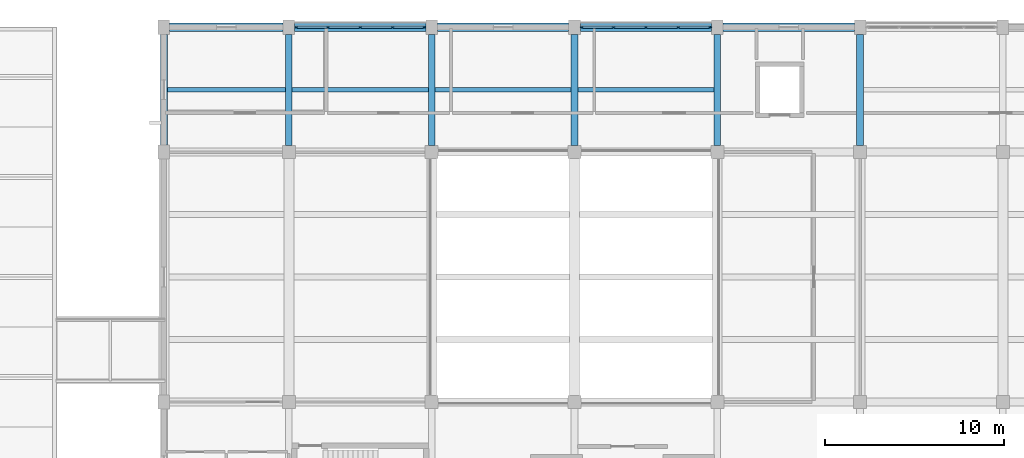
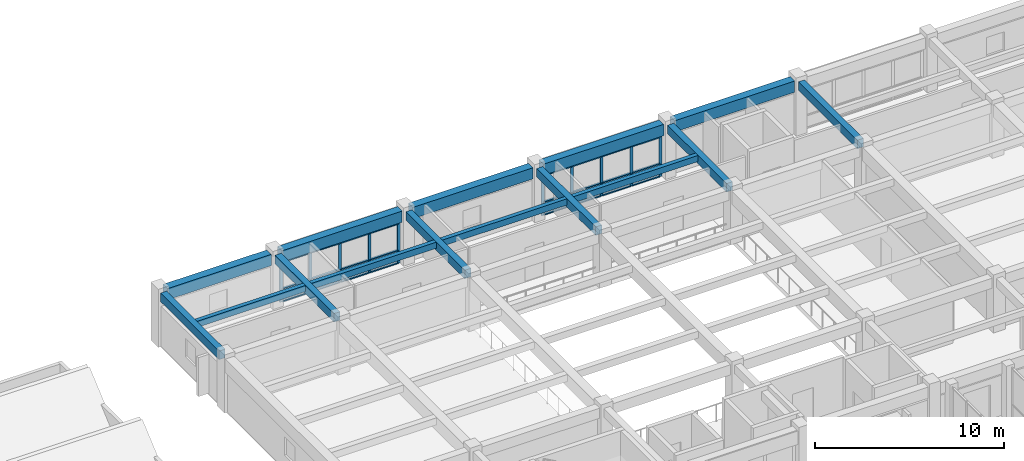
# One storey, part 14 of 42: 34 members, 15 beams, 2 elements without a shape of their own.
"""IFC4 building model written with IfcOpenShell, lengths in metres."""

from ifc_helpers import new_model, si_unit, direction, frame, origin, origin_2d, place, context, subcontext, project, spatial, rectangle, extrude, material, layer, layer_set, material_profile, profile_set, type_object, element, aggregate, save


model = new_model("IFC4")

# Units and contexts
model_context = context("Model", 3, precision=1e-05, world=origin(), true_north=direction((0.0, 1.0)))
body_context = subcontext(model_context, "Body", "Model", "MODEL_VIEW")
ifc_project = project(units=[si_unit("LENGTHUNIT", "METRE"), si_unit("AREAUNIT", "SQUARE_METRE"), si_unit("VOLUMEUNIT", "CUBIC_METRE"), si_unit("PLANEANGLEUNIT", "RADIAN"), si_unit("MASSUNIT", "GRAM", prefix="KILO")], contexts=[model_context])

# Site, building, storey
site_placement = place(None, origin())
site = spatial("IfcSite", under=ifc_project, at=site_placement, CompositionType="ELEMENT")
building_placement = place(site_placement, origin())
building = spatial("IfcBuilding", under=site, at=building_placement, Name="Naurynzar Civic Courthouse", CompositionType="ELEMENT")
storey_placement = place(building_placement, frame((0.0, 0.0, 18.300048828125)))
storey = spatial("IfcBuildingStorey", under=building, at=storey_placement, Name="L05", CompositionType="ELEMENT", Elevation=18.300048828125)

# Beams
ifc_material_1 = material(Name="Concrete C40/50", Category="concrete")
ifc_material_profile_1 = material_profile(ifc_material_1, rectangle(XDim=0.25, YDim=0.39990234375, at=origin_2d()), Name="RCB 250x400")
ifc_profile_set_1 = profile_set([ifc_material_profile_1], Name="Concrete C40/50")
beam_type_1 = type_object("IfcBeamType", Name="BM-JST-250x400", PredefinedType="JOIST", material=ifc_profile_set_1)
beam_1_placement = place(storey_placement, frame((62.1875, 68.5, 3.27001953125), z_axis=(1.0, 0.0, 0.0), x_axis=(0.0, 1.0, 0.0)))
element("IfcBeam", 1, at=beam_1_placement, inside=storey, type_object=beam_type_1, Name="V2 secondary rib 829 L05", PredefinedType="JOIST", context=body_context, shape_type="SweptSolid", body=[
    extrude(rectangle(XDim=0.25, YDim=0.39990234375, at=origin_2d()), origin(), (0.0, 0.0, 1.0), 6.625),
])
for number, where, z_axis, x_axis, name in (
    (2, (69.1875, 68.5, 3.27001953125), (1.0, 0.0, 0.0), (0.0, 1.0, 0.0), "V2 secondary rib 830 L05"),
    (3, (77.1875, 68.5, 3.27001953125), (1.0, 0.0, 0.0), (0.0, 1.0, 0.0), "V2 secondary rib 831 L05"),
    (4, (85.1875, 68.5, 3.27001953125), (1.0, 0.0, 0.0), (0.0, 1.0, 0.0), "V2 secondary rib 832 L05"),
):
    element("IfcBeam", number, at=place(storey_placement, frame(where, z_axis=z_axis, x_axis=x_axis)), inside=storey, type_object=beam_type_1, Name=name, PredefinedType="JOIST", context=body_context, shape_type="SweptSolid", body=[
        extrude(rectangle(XDim=0.25, YDim=0.39990234375, at=origin_2d()), origin(), (0.0, 0.0, 1.0), 7.625),
    ])
ifc_material_2 = material(Name="Concrete C40/50", Category="concrete")
ifc_material_profile_2 = material_profile(ifc_material_2, rectangle(XDim=0.375, YDim=0.550048828125, at=origin_2d()), Name="RCB 375x550")
ifc_profile_set_2 = profile_set([ifc_material_profile_2], Name="Concrete C40/50")
beam_type_2 = type_object("IfcBeamType", Name="BM-RC-375x550", PredefinedType="BEAM", material=ifc_profile_set_2)
beam_2_placement = place(storey_placement, frame((62.0, 65.39990234375, 3.195068359375), z_axis=(0.0, 1.0, 0.0), x_axis=(-1.0, 0.0, 0.0)))
element("IfcBeam", 5, at=beam_2_placement, inside=storey, type_object=beam_type_2, Name="V2 girder Y-776 L05", PredefinedType="BEAM", context=body_context, shape_type="SweptSolid", body=[
    extrude(rectangle(XDim=0.375, YDim=0.550048828125, at=origin_2d()), origin(), (0.0, 0.0, 1.0), 6.2001953125),
])
for number, where, z_axis, x_axis, name in (
    (6, (69.0, 65.362548828125, 3.195068359375), (0.0, 1.0, 0.0), (-1.0, 0.0, 0.0), "V2 girder Y-779 L05"),
    (7, (77.0, 65.362548828125, 3.195068359375), (0.0, 1.0, 0.0), (-1.0, 0.0, 0.0), "V2 girder Y-782 L05"),
    (8, (85.0, 65.362548828125, 3.195068359375), (0.0, 1.0, 0.0), (-1.0, 0.0, 0.0), "V2 girder Y-785 L05"),
    (9, (93.0, 65.362548828125, 3.195068359375), (0.0, 1.0, 0.0), (-1.0, 0.0, 0.0), "V2 girder Y-788 L05"),
    (10, (101.0, 65.362548828125, 3.195068359375), (0.0, 1.0, 0.0), (-1.0, 0.0, 0.0), "V2 girder Y-791 L05"),
):
    element("IfcBeam", number, at=place(storey_placement, frame(where, z_axis=z_axis, x_axis=x_axis)), inside=storey, type_object=beam_type_2, Name=name, PredefinedType="BEAM", context=body_context, shape_type="SweptSolid", body=[
        extrude(rectangle(XDim=0.375, YDim=0.550048828125, at=origin_2d()), origin(), (0.0, 0.0, 1.0), 6.237548828125),
    ])
ifc_material_3 = material(Name="Concrete C40/50", Category="concrete")
ifc_material_profile_3 = material_profile(ifc_material_3, rectangle(XDim=0.47509765625, YDim=0.72509765625, at=origin_2d()), Name="RCB 475x725")
ifc_profile_set_3 = profile_set([ifc_material_profile_3], Name="Concrete C40/50")
beam_type_3 = type_object("IfcBeamType", Name="BM-RC-475x725", PredefinedType="SPANDREL", material=ifc_profile_set_3)
beam_3_placement = place(storey_placement, frame((62.324951171875, 72.0, 3.107421875), z_axis=(1.0, 0.0, 0.0), x_axis=(0.0, 1.0, 0.0)))
element("IfcBeam", 11, at=beam_3_placement, inside=storey, type_object=beam_type_3, Name="V2 beam X-766 L05", PredefinedType="SPANDREL", context=body_context, shape_type="SweptSolid", body=[
    extrude(rectangle(XDim=0.47509765625, YDim=0.72509765625, at=origin_2d()), origin(), (0.0, 0.0, 1.0), 6.35009765625),
])
for number, where, z_axis, x_axis, name in (
    (12, (69.324951171875, 72.0, 3.107421875), (1.0, 0.0, 0.0), (0.0, 1.0, 0.0), "V2 beam X-767 L05"),
    (13, (77.324951171875, 72.0, 3.107421875), (1.0, 0.0, 0.0), (0.0, 1.0, 0.0), "V2 beam X-768 L05"),
    (14, (85.324951171875, 72.0, 3.107421875), (1.0, 0.0, 0.0), (0.0, 1.0, 0.0), "V2 beam X-769 L05"),
    (15, (93.324951171875, 72.0, 3.107421875), (1.0, 0.0, 0.0), (0.0, 1.0, 0.0), "V2 beam X-770 L05"),
):
    element("IfcBeam", number, at=place(storey_placement, frame(where, z_axis=z_axis, x_axis=x_axis)), inside=storey, type_object=beam_type_3, Name=name, PredefinedType="SPANDREL", context=body_context, shape_type="SweptSolid", body=[
        extrude(rectangle(XDim=0.47509765625, YDim=0.72509765625, at=origin_2d()), origin(), (0.0, 0.0, 1.0), 7.35009765625),
    ])

# Curtain wall, members
ifc_material_4 = material(Name="Aluminium 6063-T6", Category="aluminium")
ifc_layer = layer(ifc_material_4, 0.159912109375)
ifc_layer_set = layer_set([ifc_layer], Name="CW-UNIT-1800")
curtain_wall_type = type_object("IfcCurtainWallType", Name="CW-UNIT-1800", PredefinedType="NOTDEFINED", material=ifc_layer_set)
curtain_wall_1_placement = place(storey_placement, origin())
curtain_wall_1 = element("IfcCurtainWall", 16, at=curtain_wall_1_placement, inside=storey, type_object=curtain_wall_type, Name="V2 unitised curtain wall 36 L05", PredefinedType="NOTDEFINED")
ifc_material_5 = material(Name="Aluminium 6063-T6", Category="aluminium")
ifc_material_profile_4 = material_profile(ifc_material_5, rectangle(XDim=0.070068359375, YDim=0.179931640625, at=origin_2d()), Name="ALU MULLION 70x180")
ifc_profile_set_4 = profile_set([ifc_material_profile_4], Name="Aluminium 6063-T6")
member_type_1 = type_object("IfcMemberType", Name="CWM-70x180", PredefinedType="MULLION", material=ifc_profile_set_4)
member_1_placement = place(storey_placement, frame((69.409912109375, 72.0, 0.0), z_axis=(0.0, 0.0, 1.0), x_axis=(0.0, 1.0, 0.0)))
member_1 = element("IfcMember", 17, at=member_1_placement, type_object=member_type_1, Name="CW-02 mullion 1", PredefinedType="MULLION", context=body_context, shape_type="SweptSolid", body=[
    extrude(rectangle(XDim=0.070068359375, YDim=0.179931640625, at=origin_2d()), origin(), (0.0, 0.0, 1.0), 2.599853515625),
])
member_2_placement = place(storey_placement, frame((71.1875, 72.0, 0.0), z_axis=(0.0, 0.0, 1.0), x_axis=(0.0, 1.0, 0.0)))
member_2 = element("IfcMember", 18, at=member_2_placement, type_object=member_type_1, Name="CW-02 mullion 2", PredefinedType="MULLION", context=body_context, shape_type="SweptSolid", body=[
    extrude(rectangle(XDim=0.070068359375, YDim=0.179931640625, at=origin_2d()), origin(), (0.0, 0.0, 1.0), 2.599853515625),
])
member_3_placement = place(storey_placement, frame((73.0, 72.0, 0.0), z_axis=(0.0, 0.0, 1.0), x_axis=(0.0, 1.0, 0.0)))
member_3 = element("IfcMember", 19, at=member_3_placement, type_object=member_type_1, Name="CW-02 mullion 3", PredefinedType="MULLION", context=body_context, shape_type="SweptSolid", body=[
    extrude(rectangle(XDim=0.070068359375, YDim=0.179931640625, at=origin_2d()), origin(), (0.0, 0.0, 1.0), 2.599853515625),
])
member_4_placement = place(storey_placement, frame((74.8125, 72.0, 0.0), z_axis=(0.0, 0.0, 1.0), x_axis=(0.0, 1.0, 0.0)))
member_4 = element("IfcMember", 20, at=member_4_placement, type_object=member_type_1, Name="CW-02 mullion 4", PredefinedType="MULLION", context=body_context, shape_type="SweptSolid", body=[
    extrude(rectangle(XDim=0.070068359375, YDim=0.179931640625, at=origin_2d()), origin(), (0.0, 0.0, 1.0), 2.599853515625),
])
member_5_placement = place(storey_placement, frame((76.590087890625, 72.0, 0.0), z_axis=(0.0, 0.0, 1.0), x_axis=(0.0, 1.0, 0.0)))
member_5 = element("IfcMember", 21, at=member_5_placement, type_object=member_type_1, Name="CW-02 mullion 5", PredefinedType="MULLION", context=body_context, shape_type="SweptSolid", body=[
    extrude(rectangle(XDim=0.070068359375, YDim=0.179931640625, at=origin_2d()), origin(), (0.0, 0.0, 1.0), 2.599853515625),
])

curtain_wall_2_placement = place(storey_placement, origin())
curtain_wall_2 = element("IfcCurtainWall", 22, at=curtain_wall_2_placement, inside=storey, type_object=curtain_wall_type, Name="V2 unitised curtain wall 37 L05", PredefinedType="NOTDEFINED")
member_6_placement = place(storey_placement, frame((85.409912109375, 72.0, 0.0), z_axis=(0.0, 0.0, 1.0), x_axis=(0.0, 1.0, 0.0)))
member_6 = element("IfcMember", 23, at=member_6_placement, type_object=member_type_1, Name="CW-02 mullion 1", PredefinedType="MULLION", context=body_context, shape_type="SweptSolid", body=[
    extrude(rectangle(XDim=0.070068359375, YDim=0.179931640625, at=origin_2d()), origin(), (0.0, 0.0, 1.0), 2.599853515625),
])
member_7_placement = place(storey_placement, frame((87.1875, 72.0, 0.0), z_axis=(0.0, 0.0, 1.0), x_axis=(0.0, 1.0, 0.0)))
member_7 = element("IfcMember", 24, at=member_7_placement, type_object=member_type_1, Name="CW-02 mullion 2", PredefinedType="MULLION", context=body_context, shape_type="SweptSolid", body=[
    extrude(rectangle(XDim=0.070068359375, YDim=0.179931640625, at=origin_2d()), origin(), (0.0, 0.0, 1.0), 2.599853515625),
])
member_8_placement = place(storey_placement, frame((89.0, 72.0, 0.0), z_axis=(0.0, 0.0, 1.0), x_axis=(0.0, 1.0, 0.0)))
member_8 = element("IfcMember", 25, at=member_8_placement, type_object=member_type_1, Name="CW-02 mullion 3", PredefinedType="MULLION", context=body_context, shape_type="SweptSolid", body=[
    extrude(rectangle(XDim=0.070068359375, YDim=0.179931640625, at=origin_2d()), origin(), (0.0, 0.0, 1.0), 2.599853515625),
])
member_9_placement = place(storey_placement, frame((90.8125, 72.0, 0.0), z_axis=(0.0, 0.0, 1.0), x_axis=(0.0, 1.0, 0.0)))
member_9 = element("IfcMember", 26, at=member_9_placement, type_object=member_type_1, Name="CW-02 mullion 4", PredefinedType="MULLION", context=body_context, shape_type="SweptSolid", body=[
    extrude(rectangle(XDim=0.070068359375, YDim=0.179931640625, at=origin_2d()), origin(), (0.0, 0.0, 1.0), 2.599853515625),
])
member_10_placement = place(storey_placement, frame((92.590087890625, 72.0, 0.0), z_axis=(0.0, 0.0, 1.0), x_axis=(0.0, 1.0, 0.0)))
member_10 = element("IfcMember", 27, at=member_10_placement, type_object=member_type_1, Name="CW-02 mullion 5", PredefinedType="MULLION", context=body_context, shape_type="SweptSolid", body=[
    extrude(rectangle(XDim=0.070068359375, YDim=0.179931640625, at=origin_2d()), origin(), (0.0, 0.0, 1.0), 2.599853515625),
])

# Member
ifc_material_6 = material(Name="Aluminium 6063-T6", Category="aluminium")
ifc_material_profile_5 = material_profile(ifc_material_6, rectangle(XDim=0.1298828125, YDim=0.070068359375, at=origin_2d()), Name="ALU TRANSOM 70x130")
ifc_profile_set_5 = profile_set([ifc_material_profile_5], Name="Aluminium 6063-T6")
member_type_2 = type_object("IfcMemberType", Name="CWT-70x130", PredefinedType="USERDEFINED", material=ifc_profile_set_5)
member_11_placement = place(storey_placement, frame((69.445068359375, 72.0, 0.034912109375), z_axis=(1.0, 0.0, 0.0), x_axis=(0.0, 1.0, 0.0)))
member_11 = element("IfcMember", 28, at=member_11_placement, type_object=member_type_2, Name="CW-02 transom 1.1", ObjectType="TRANSOM", PredefinedType="USERDEFINED", context=body_context, shape_type="SweptSolid", body=[
    extrude(rectangle(XDim=0.1298828125, YDim=0.070068359375, at=origin_2d()), origin(), (0.0, 0.0, 1.0), 1.70751953125),
])

member_12_placement = place(storey_placement, frame((69.445068359375, 72.0, 0.849853515625), z_axis=(1.0, 0.0, 0.0), x_axis=(0.0, 1.0, 0.0)))
member_12 = element("IfcMember", 29, at=member_12_placement, type_object=member_type_2, Name="CW-02 transom 1.2", ObjectType="TRANSOM", PredefinedType="USERDEFINED", context=body_context, shape_type="SweptSolid", body=[
    extrude(rectangle(XDim=0.1298828125, YDim=0.070068359375, at=origin_2d()), origin(), (0.0, 0.0, 1.0), 1.70751953125),
])

member_13_placement = place(storey_placement, frame((69.445068359375, 72.0, 2.56494140625), z_axis=(1.0, 0.0, 0.0), x_axis=(0.0, 1.0, 0.0)))
member_13 = element("IfcMember", 30, at=member_13_placement, type_object=member_type_2, Name="CW-02 transom 1.3", ObjectType="TRANSOM", PredefinedType="USERDEFINED", context=body_context, shape_type="SweptSolid", body=[
    extrude(rectangle(XDim=0.1298828125, YDim=0.070068359375, at=origin_2d()), origin(), (0.0, 0.0, 1.0), 1.70751953125),
])

member_14_placement = place(storey_placement, frame((71.222412109375, 72.0, 0.034912109375), z_axis=(1.0, 0.0, 0.0), x_axis=(0.0, 1.0, 0.0)))
member_14 = element("IfcMember", 31, at=member_14_placement, type_object=member_type_2, Name="CW-02 transom 2.1", ObjectType="TRANSOM", PredefinedType="USERDEFINED", context=body_context, shape_type="SweptSolid", body=[
    extrude(rectangle(XDim=0.1298828125, YDim=0.070068359375, at=origin_2d()), origin(), (0.0, 0.0, 1.0), 1.74267578125),
])

member_15_placement = place(storey_placement, frame((71.222412109375, 72.0, 0.849853515625), z_axis=(1.0, 0.0, 0.0), x_axis=(0.0, 1.0, 0.0)))
member_15 = element("IfcMember", 32, at=member_15_placement, type_object=member_type_2, Name="CW-02 transom 2.2", ObjectType="TRANSOM", PredefinedType="USERDEFINED", context=body_context, shape_type="SweptSolid", body=[
    extrude(rectangle(XDim=0.1298828125, YDim=0.070068359375, at=origin_2d()), origin(), (0.0, 0.0, 1.0), 1.74267578125),
])

member_16_placement = place(storey_placement, frame((71.222412109375, 72.0, 2.56494140625), z_axis=(1.0, 0.0, 0.0), x_axis=(0.0, 1.0, 0.0)))
member_16 = element("IfcMember", 33, at=member_16_placement, type_object=member_type_2, Name="CW-02 transom 2.3", ObjectType="TRANSOM", PredefinedType="USERDEFINED", context=body_context, shape_type="SweptSolid", body=[
    extrude(rectangle(XDim=0.1298828125, YDim=0.070068359375, at=origin_2d()), origin(), (0.0, 0.0, 1.0), 1.74267578125),
])

member_17_placement = place(storey_placement, frame((73.034912109375, 72.0, 0.034912109375), z_axis=(1.0, 0.0, 0.0), x_axis=(0.0, 1.0, 0.0)))
member_17 = element("IfcMember", 34, at=member_17_placement, type_object=member_type_2, Name="CW-02 transom 3.1", ObjectType="TRANSOM", PredefinedType="USERDEFINED", context=body_context, shape_type="SweptSolid", body=[
    extrude(rectangle(XDim=0.1298828125, YDim=0.070068359375, at=origin_2d()), origin(), (0.0, 0.0, 1.0), 1.74267578125),
])

member_18_placement = place(storey_placement, frame((73.034912109375, 72.0, 0.849853515625), z_axis=(1.0, 0.0, 0.0), x_axis=(0.0, 1.0, 0.0)))
member_18 = element("IfcMember", 35, at=member_18_placement, type_object=member_type_2, Name="CW-02 transom 3.2", ObjectType="TRANSOM", PredefinedType="USERDEFINED", context=body_context, shape_type="SweptSolid", body=[
    extrude(rectangle(XDim=0.1298828125, YDim=0.070068359375, at=origin_2d()), origin(), (0.0, 0.0, 1.0), 1.74267578125),
])

member_19_placement = place(storey_placement, frame((73.034912109375, 72.0, 2.56494140625), z_axis=(1.0, 0.0, 0.0), x_axis=(0.0, 1.0, 0.0)))
member_19 = element("IfcMember", 36, at=member_19_placement, type_object=member_type_2, Name="CW-02 transom 3.3", ObjectType="TRANSOM", PredefinedType="USERDEFINED", context=body_context, shape_type="SweptSolid", body=[
    extrude(rectangle(XDim=0.1298828125, YDim=0.070068359375, at=origin_2d()), origin(), (0.0, 0.0, 1.0), 1.74267578125),
])

member_20_placement = place(storey_placement, frame((74.847412109375, 72.0, 0.034912109375), z_axis=(1.0, 0.0, 0.0), x_axis=(0.0, 1.0, 0.0)))
member_20 = element("IfcMember", 37, at=member_20_placement, type_object=member_type_2, Name="CW-02 transom 4.1", ObjectType="TRANSOM", PredefinedType="USERDEFINED", context=body_context, shape_type="SweptSolid", body=[
    extrude(rectangle(XDim=0.1298828125, YDim=0.070068359375, at=origin_2d()), origin(), (0.0, 0.0, 1.0), 1.70751953125),
])

member_21_placement = place(storey_placement, frame((74.847412109375, 72.0, 0.849853515625), z_axis=(1.0, 0.0, 0.0), x_axis=(0.0, 1.0, 0.0)))
member_21 = element("IfcMember", 38, at=member_21_placement, type_object=member_type_2, Name="CW-02 transom 4.2", ObjectType="TRANSOM", PredefinedType="USERDEFINED", context=body_context, shape_type="SweptSolid", body=[
    extrude(rectangle(XDim=0.1298828125, YDim=0.070068359375, at=origin_2d()), origin(), (0.0, 0.0, 1.0), 1.70751953125),
])

member_22_placement = place(storey_placement, frame((74.847412109375, 72.0, 2.56494140625), z_axis=(1.0, 0.0, 0.0), x_axis=(0.0, 1.0, 0.0)))
member_22 = element("IfcMember", 39, at=member_22_placement, type_object=member_type_2, Name="CW-02 transom 4.3", ObjectType="TRANSOM", PredefinedType="USERDEFINED", context=body_context, shape_type="SweptSolid", body=[
    extrude(rectangle(XDim=0.1298828125, YDim=0.070068359375, at=origin_2d()), origin(), (0.0, 0.0, 1.0), 1.70751953125),
])

aggregate(curtain_wall_1, [member_1, member_2, member_3, member_4, member_5, member_11, member_12, member_13, member_14, member_15, member_16, member_17, member_18, member_19, member_20, member_21, member_22])

member_23_placement = place(storey_placement, frame((85.445068359375, 72.0, 0.034912109375), z_axis=(1.0, 0.0, 0.0), x_axis=(0.0, 1.0, 0.0)))
member_23 = element("IfcMember", 40, at=member_23_placement, type_object=member_type_2, Name="CW-02 transom 1.1", ObjectType="TRANSOM", PredefinedType="USERDEFINED", context=body_context, shape_type="SweptSolid", body=[
    extrude(rectangle(XDim=0.1298828125, YDim=0.070068359375, at=origin_2d()), origin(), (0.0, 0.0, 1.0), 1.70751953125),
])

member_24_placement = place(storey_placement, frame((85.445068359375, 72.0, 0.849853515625), z_axis=(1.0, 0.0, 0.0), x_axis=(0.0, 1.0, 0.0)))
member_24 = element("IfcMember", 41, at=member_24_placement, type_object=member_type_2, Name="CW-02 transom 1.2", ObjectType="TRANSOM", PredefinedType="USERDEFINED", context=body_context, shape_type="SweptSolid", body=[
    extrude(rectangle(XDim=0.1298828125, YDim=0.070068359375, at=origin_2d()), origin(), (0.0, 0.0, 1.0), 1.70751953125),
])

member_25_placement = place(storey_placement, frame((85.445068359375, 72.0, 2.56494140625), z_axis=(1.0, 0.0, 0.0), x_axis=(0.0, 1.0, 0.0)))
member_25 = element("IfcMember", 42, at=member_25_placement, type_object=member_type_2, Name="CW-02 transom 1.3", ObjectType="TRANSOM", PredefinedType="USERDEFINED", context=body_context, shape_type="SweptSolid", body=[
    extrude(rectangle(XDim=0.1298828125, YDim=0.070068359375, at=origin_2d()), origin(), (0.0, 0.0, 1.0), 1.70751953125),
])

member_26_placement = place(storey_placement, frame((87.222412109375, 72.0, 0.034912109375), z_axis=(1.0, 0.0, 0.0), x_axis=(0.0, 1.0, 0.0)))
member_26 = element("IfcMember", 43, at=member_26_placement, type_object=member_type_2, Name="CW-02 transom 2.1", ObjectType="TRANSOM", PredefinedType="USERDEFINED", context=body_context, shape_type="SweptSolid", body=[
    extrude(rectangle(XDim=0.1298828125, YDim=0.070068359375, at=origin_2d()), origin(), (0.0, 0.0, 1.0), 1.74267578125),
])

member_27_placement = place(storey_placement, frame((87.222412109375, 72.0, 0.849853515625), z_axis=(1.0, 0.0, 0.0), x_axis=(0.0, 1.0, 0.0)))
member_27 = element("IfcMember", 44, at=member_27_placement, type_object=member_type_2, Name="CW-02 transom 2.2", ObjectType="TRANSOM", PredefinedType="USERDEFINED", context=body_context, shape_type="SweptSolid", body=[
    extrude(rectangle(XDim=0.1298828125, YDim=0.070068359375, at=origin_2d()), origin(), (0.0, 0.0, 1.0), 1.74267578125),
])

member_28_placement = place(storey_placement, frame((87.222412109375, 72.0, 2.56494140625), z_axis=(1.0, 0.0, 0.0), x_axis=(0.0, 1.0, 0.0)))
member_28 = element("IfcMember", 45, at=member_28_placement, type_object=member_type_2, Name="CW-02 transom 2.3", ObjectType="TRANSOM", PredefinedType="USERDEFINED", context=body_context, shape_type="SweptSolid", body=[
    extrude(rectangle(XDim=0.1298828125, YDim=0.070068359375, at=origin_2d()), origin(), (0.0, 0.0, 1.0), 1.74267578125),
])

member_29_placement = place(storey_placement, frame((89.034912109375, 72.0, 0.034912109375), z_axis=(1.0, 0.0, 0.0), x_axis=(0.0, 1.0, 0.0)))
member_29 = element("IfcMember", 46, at=member_29_placement, type_object=member_type_2, Name="CW-02 transom 3.1", ObjectType="TRANSOM", PredefinedType="USERDEFINED", context=body_context, shape_type="SweptSolid", body=[
    extrude(rectangle(XDim=0.1298828125, YDim=0.070068359375, at=origin_2d()), origin(), (0.0, 0.0, 1.0), 1.74267578125),
])

member_30_placement = place(storey_placement, frame((89.034912109375, 72.0, 0.849853515625), z_axis=(1.0, 0.0, 0.0), x_axis=(0.0, 1.0, 0.0)))
member_30 = element("IfcMember", 47, at=member_30_placement, type_object=member_type_2, Name="CW-02 transom 3.2", ObjectType="TRANSOM", PredefinedType="USERDEFINED", context=body_context, shape_type="SweptSolid", body=[
    extrude(rectangle(XDim=0.1298828125, YDim=0.070068359375, at=origin_2d()), origin(), (0.0, 0.0, 1.0), 1.74267578125),
])

member_31_placement = place(storey_placement, frame((89.034912109375, 72.0, 2.56494140625), z_axis=(1.0, 0.0, 0.0), x_axis=(0.0, 1.0, 0.0)))
member_31 = element("IfcMember", 48, at=member_31_placement, type_object=member_type_2, Name="CW-02 transom 3.3", ObjectType="TRANSOM", PredefinedType="USERDEFINED", context=body_context, shape_type="SweptSolid", body=[
    extrude(rectangle(XDim=0.1298828125, YDim=0.070068359375, at=origin_2d()), origin(), (0.0, 0.0, 1.0), 1.74267578125),
])

member_32_placement = place(storey_placement, frame((90.847412109375, 72.0, 0.034912109375), z_axis=(1.0, 0.0, 0.0), x_axis=(0.0, 1.0, 0.0)))
member_32 = element("IfcMember", 49, at=member_32_placement, type_object=member_type_2, Name="CW-02 transom 4.1", ObjectType="TRANSOM", PredefinedType="USERDEFINED", context=body_context, shape_type="SweptSolid", body=[
    extrude(rectangle(XDim=0.1298828125, YDim=0.070068359375, at=origin_2d()), origin(), (0.0, 0.0, 1.0), 1.70751953125),
])

member_33_placement = place(storey_placement, frame((90.847412109375, 72.0, 0.849853515625), z_axis=(1.0, 0.0, 0.0), x_axis=(0.0, 1.0, 0.0)))
member_33 = element("IfcMember", 50, at=member_33_placement, type_object=member_type_2, Name="CW-02 transom 4.2", ObjectType="TRANSOM", PredefinedType="USERDEFINED", context=body_context, shape_type="SweptSolid", body=[
    extrude(rectangle(XDim=0.1298828125, YDim=0.070068359375, at=origin_2d()), origin(), (0.0, 0.0, 1.0), 1.70751953125),
])

member_34_placement = place(storey_placement, frame((90.847412109375, 72.0, 2.56494140625), z_axis=(1.0, 0.0, 0.0), x_axis=(0.0, 1.0, 0.0)))
member_34 = element("IfcMember", 51, at=member_34_placement, type_object=member_type_2, Name="CW-02 transom 4.3", ObjectType="TRANSOM", PredefinedType="USERDEFINED", context=body_context, shape_type="SweptSolid", body=[
    extrude(rectangle(XDim=0.1298828125, YDim=0.070068359375, at=origin_2d()), origin(), (0.0, 0.0, 1.0), 1.70751953125),
])

aggregate(curtain_wall_2, [member_6, member_7, member_8, member_9, member_10, member_23, member_24, member_25, member_26, member_27, member_28, member_29, member_30, member_31, member_32, member_33, member_34])

save(model, "model.ifc")
